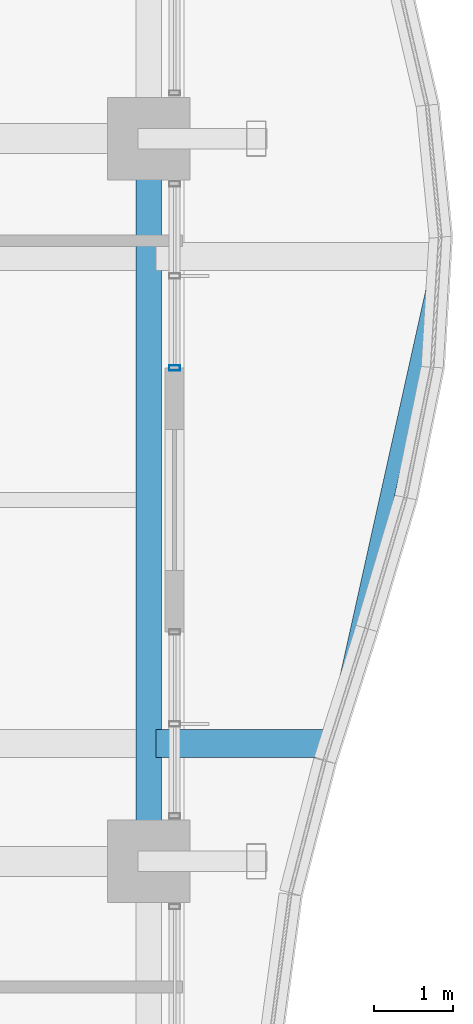
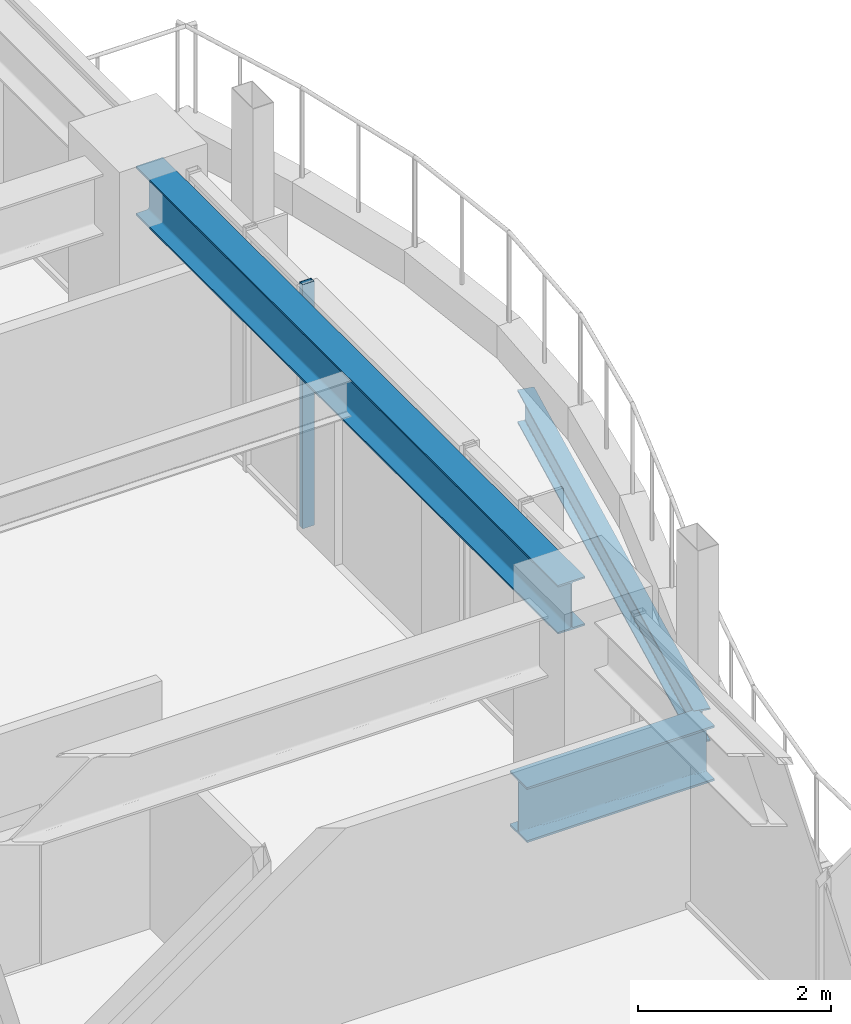
# One storey, part 15 of 37: 3 beams, 1 member, 1 element without a shape of its own.
"""IFC4 building model written with IfcOpenShell, lengths in metres."""

import ifcopenshell
import ifcopenshell.guid

model = None  # the IFC model being written
_history = None  # IfcOwnerHistory: only IFC2X3 demands one
_inside = {}  # id of a spatial element -> (the spatial element, [elements in it])
_under = {}  # id of a project, library or spatial element -> (it, [spatial elements below it])
_declared = {}  # id of a project -> (the project, [libraries it declares])
_typed = {}  # id of a type object -> (the type object, [elements of that type])
_made_of = {}  # id of a material, layer set ... -> (it, [elements and type objects made of it])


def new_model(schema):
    """Start an empty IFC model of exactly this schema.

    Asked for "IFC4X3", IfcOpenShell would pick the latest addendum, in which some entities
    have other attributes; the version numbers below select the first issue.
    IFC2X3 requires an IfcOwnerHistory on every rooted entity: one is made here for all.
    """
    global model, _history
    if schema == "IFC4X3":
        model = ifcopenshell.file(schema_version=(4, 3, 0, 0))
    else:
        model = ifcopenshell.file(schema=schema)
    _inside.clear()
    _under.clear()
    _declared.clear()
    _typed.clear()
    _made_of.clear()
    _history = None
    if model.schema == "IFC2X3":
        org = make("IfcOrganization", Name="unknown")
        user = make(
            "IfcPersonAndOrganization",
            ThePerson=make("IfcPerson", FamilyName="unknown"),
            TheOrganization=org,
        )
        app = make(
            "IfcApplication",
            ApplicationDeveloper=org,
            Version="unknown",
            ApplicationFullName="unknown",
            ApplicationIdentifier="unknown",
        )
        _history = make(
            "IfcOwnerHistory",
            OwningUser=user,
            OwningApplication=app,
            ChangeAction="ADDED",
            CreationDate=0,
        )
    return model


def make(cls, **values):
    """One entity of the class cls with the attributes given. An attribute that is None is left unset."""
    return model.create_entity(
        cls, **{name: value for name, value in values.items() if value is not None}
    )


def rooted(cls, **values):
    """An entity with a GlobalId (a new one), such as an element, a storey or a relation."""
    return make(cls, GlobalId=ifcopenshell.guid.new(), OwnerHistory=_history, **values)


def si_unit(unit_type, name, prefix=None):
    """IfcSIUnit, for example si_unit("LENGTHUNIT", "METRE", prefix="MILLI")."""
    return make("IfcSIUnit", UnitType=unit_type, Prefix=prefix, Name=name)


def assignment(units):
    """IfcUnitAssignment: the units of a project."""
    return None if units is None else make("IfcUnitAssignment", Units=units)


def point(xyz):
    """IfcCartesianPoint."""
    return None if xyz is None else make("IfcCartesianPoint", Coordinates=xyz)


def direction(xyz):
    """IfcDirection."""
    return None if xyz is None else make("IfcDirection", DirectionRatios=xyz)


def frame(location, z_axis=None, x_axis=None):
    """IfcAxis2Placement3D, a coordinate frame: its origin and axes. An axis left out is left unset."""
    return make(
        "IfcAxis2Placement3D",
        Location=point(location),
        Axis=direction(z_axis),
        RefDirection=direction(x_axis),
    )


def frame_2d(location, x_axis=None):
    """IfcAxis2Placement2D, a coordinate frame in the plane: its origin and x axis."""
    return make(
        "IfcAxis2Placement2D", Location=point(location), RefDirection=direction(x_axis)
    )


def origin():
    """The frame at (0, 0, 0) with its axes left unset."""
    return frame((0.0, 0.0, 0.0))


def origin_2d():
    """The frame at (0, 0) in the plane with its x axis left unset."""
    return frame_2d((0.0, 0.0))


def place(relative_to, where):
    """IfcLocalPlacement: puts the frame where relative to a parent placement (None: the world)."""
    return make(
        "IfcLocalPlacement", PlacementRelTo=relative_to, RelativePlacement=where
    )


def context(
    kind, dimensions, precision=None, world=None, true_north=None, identifier=None
):
    """IfcGeometricRepresentationContext, for example the 3D "Model" context."""
    return make(
        "IfcGeometricRepresentationContext",
        ContextIdentifier=identifier,
        ContextType=kind,
        CoordinateSpaceDimension=dimensions,
        Precision=precision,
        WorldCoordinateSystem=world,
        TrueNorth=true_north,
    )


def subcontext(parent, identifier, kind, view, scale=None):
    """IfcGeometricRepresentationSubContext, for example "Body" below "Model"."""
    return make(
        "IfcGeometricRepresentationSubContext",
        ContextIdentifier=identifier,
        ContextType=kind,
        ParentContext=parent,
        TargetScale=scale,
        TargetView=view,
    )


def project(units=None, contexts=None):
    """IfcProject with its units and contexts."""
    return rooted(
        "IfcProject",
        Name="project",
        RepresentationContexts=contexts,
        UnitsInContext=assignment(units),
    )


def spatial(cls, under=None, at=None, **own):
    """A site, building, storey or space (cls), placed at a placement, below another one or the project."""
    s = rooted(cls, ObjectPlacement=at, **own)
    if under is not None:
        _under.setdefault(under.id(), (under, []))[1].append(s)
    return s


def profile(cls, at=None, kind="AREA", **sizes):
    """A parametric profile (cls). Its sizes go by their IFC names, for example OverallWidth=200.0."""
    return make(cls, ProfileType=kind, Position=at, **sizes)


def hollow_rectangle(**sizes):
    """IfcRectangleHollowProfileDef."""
    return profile("IfcRectangleHollowProfileDef", **sizes)


def i_section(**sizes):
    """IfcIShapeProfileDef."""
    return profile("IfcIShapeProfileDef", **sizes)


def extrude(swept, where, along, depth):
    """IfcExtrudedAreaSolid: the profile swept, set in the frame where, extruded along a direction by depth."""
    return make(
        "IfcExtrudedAreaSolid",
        SweptArea=swept,
        Position=where,
        ExtrudedDirection=direction(along),
        Depth=depth,
    )


def shape(context_of_items, identifier, shape_type, items):
    """IfcShapeRepresentation: the items that make up one representation, for example the "Body"."""
    return make(
        "IfcShapeRepresentation",
        ContextOfItems=context_of_items,
        RepresentationIdentifier=identifier,
        RepresentationType=shape_type,
        Items=items,
    )


def material(Name=None, Category=None):
    """IfcMaterial."""
    return make("IfcMaterial", Name=Name, Category=Category)


def material_profile(
    of_material, cross_section, Name=None, Category=None, Priority=None
):
    """IfcMaterialProfile: a cross section and its material."""
    return make(
        "IfcMaterialProfile",
        Name=Name,
        Material=of_material,
        Profile=cross_section,
        Priority=Priority,
        Category=Category,
    )


def profile_set(profiles, Name=None, composite=None):
    """IfcMaterialProfileSet."""
    return make(
        "IfcMaterialProfileSet",
        Name=Name,
        MaterialProfiles=profiles,
        CompositeProfile=composite,
    )


def made_of(thing, what):
    """Note that an element or type object is made of a material, layer set ...; save() writes the relation."""
    if what is not None:
        _made_of.setdefault(what.id(), (what, []))[1].append(thing)
    return thing


def type_object(cls, material=None, **own):
    """A type object (cls), such as IfcWallType, which elements share."""
    return made_of(rooted(cls, **own), material)


def element(
    cls,
    number,
    at=None,
    inside=None,
    cuts=None,
    type_object=None,
    material=None,
    context=None,
    identifier="Body",
    shape_type=None,
    held_by="IfcProductDefinitionShape",
    body=None,
    shapes=None,
    **own,
):
    """One element of the class cls, such as IfcWall. Its Tag is "e" and its number.

    at: its placement. inside: the storey or other place that contains it. cuts: it is an
    opening in that element (IfcRelVoidsElement). A single representation is given by context,
    identifier, shape_type and body (its items); several are given by shapes. held_by: the class
    of the entity that holds the representations. save() writes the other relations.
    """
    e = rooted(cls, Tag="e%d" % number, ObjectPlacement=at, **own)
    if body is not None:
        shapes = [shape(context, identifier, shape_type, body)]
    if shapes is not None:
        e.Representation = make(held_by, Representations=shapes)
    if inside is not None:
        _inside.setdefault(inside.id(), (inside, []))[1].append(e)
    if cuts is not None:
        rooted(
            "IfcRelVoidsElement", RelatingBuildingElement=cuts, RelatedOpeningElement=e
        )
    if type_object is not None:
        _typed.setdefault(type_object.id(), (type_object, []))[1].append(e)
    return made_of(e, material)


def aggregate(whole, parts):
    """IfcRelAggregates: a whole, such as a stair, and the parts it consists of."""
    return rooted("IfcRelAggregates", RelatingObject=whole, RelatedObjects=parts)


def save(model, path):
    """Write the relations noted so far, then the file.

    IfcRelAggregates (storeys below a building ...), IfcRelContainedInSpatialStructure (elements
    in a storey), IfcRelDefinesByType, IfcRelAssociatesMaterial and IfcRelDeclares: one each for
    every whole, place, type object, material and project.
    """
    for whole, parts in _under.values():
        aggregate(whole, parts)
    for where, things in _inside.values():
        rooted(
            "IfcRelContainedInSpatialStructure",
            RelatedElements=things,
            RelatingStructure=where,
        )
    for kind, things in _typed.values():
        rooted("IfcRelDefinesByType", RelatedObjects=things, RelatingType=kind)
    for what, things in _made_of.values():
        rooted("IfcRelAssociatesMaterial", RelatedObjects=things, RelatingMaterial=what)
    for by, libraries in _declared.values():
        rooted("IfcRelDeclares", RelatingContext=by, RelatedDefinitions=libraries)
    model.write(path)


model = new_model("IFC4")

# Units and contexts
model_context = context("Model", 3, precision=1e-05, world=origin(), true_north=direction((0.0, 1.0)))
body_context = subcontext(model_context, "Body", "Model", "MODEL_VIEW")
ifc_project = project(units=[si_unit("LENGTHUNIT", "METRE"), si_unit("AREAUNIT", "SQUARE_METRE"), si_unit("VOLUMEUNIT", "CUBIC_METRE"), si_unit("PLANEANGLEUNIT", "RADIAN"), si_unit("MASSUNIT", "GRAM", prefix="KILO")], contexts=[model_context])

# Site, building, storey
site_placement = place(None, origin())
site = spatial("IfcSite", under=ifc_project, at=site_placement, CompositionType="ELEMENT")
building_placement = place(site_placement, origin())
building = spatial("IfcBuilding", under=site, at=building_placement, Name="Kolvaren Belvedere", CompositionType="ELEMENT")
storey_placement = place(building_placement, frame((0.0, 0.0, 75.5)))
storey = spatial("IfcBuildingStorey", under=building, at=storey_placement, Name="L21", CompositionType="ELEMENT", Elevation=75.5)

# Beams
ifc_material_1 = material(Name="Structural steel ASTM A992 Grade 50", Category="steel")
ifc_material_profile_1 = material_profile(ifc_material_1, i_section(OverallWidth=0.35498046875, OverallDepth=0.696044921875, WebThickness=0.015380859375, FlangeThickness=0.02490234375, FilletRadius=0.02197265625, at=origin_2d()), Name="W27X146")
ifc_profile_set_1 = profile_set([ifc_material_profile_1], Name="Structural steel ASTM A992 Grade 50")
beam_type_1 = type_object("IfcBeamType", Name="BM-CANT-BAL", PredefinedType="BEAM", material=ifc_profile_set_1)
beam_1_placement = place(storey_placement, frame((20.044921875, -3.10009765625, -0.568115234375), z_axis=(1.0, 0.0, 0.0), x_axis=(0.0, 1.0, 0.0)))
element("IfcBeam", 1, at=beam_1_placement, inside=storey, type_object=beam_type_1, Name="L21 Planted Balcony Cantilever BAL-E-1", PredefinedType="BEAM", context=body_context, shape_type="SweptSolid", body=[
    extrude(i_section(OverallWidth=0.35498046875, OverallDepth=0.696044921875, WebThickness=0.015380859375, FlangeThickness=0.02490234375, FilletRadius=0.02197265625, at=origin_2d()), origin(), (0.0, 0.0, 1.0), 2.239990234375),
])
ifc_material_2 = material(Name="Structural steel ASTM A992 Grade 50", Category="steel")
ifc_material_profile_2 = material_profile(ifc_material_2, i_section(OverallWidth=0.180908203125, OverallDepth=0.4169921875, WebThickness=0.010986328125, FlangeThickness=0.018310546875, FilletRadius=0.013916015625, at=origin_2d()), Name="W16X57")
ifc_profile_set_2 = profile_set([ifc_material_profile_2], Name="Structural steel ASTM A992 Grade 50")
beam_type_2 = type_object("IfcBeamType", Name="BM-EDGE-W16X57", PredefinedType="BEAM", material=ifc_profile_set_2)
beam_2_placement = place(storey_placement, frame((22.315185546875, -2.96337890625, -0.428466796875), z_axis=(0.217173129084, 0.976133101582, 0.0), x_axis=(-0.976133101582, 0.217173129084, 0.0)))
element("IfcBeam", 2, at=beam_2_placement, inside=storey, type_object=beam_type_2, Name="L21 Balcony Tip Header Beam BAL-E", PredefinedType="BEAM", context=body_context, shape_type="SweptSolid", body=[
    extrude(i_section(OverallWidth=0.180908203125, OverallDepth=0.4169921875, WebThickness=0.010986328125, FlangeThickness=0.018310546875, FilletRadius=0.013916015625, at=origin_2d()), origin(), (0.0, 0.0, 1.0), 6.07177734375),
])
ifc_material_3 = material(Name="Structural steel ASTM A992 Grade 50", Category="steel")
ifc_material_profile_3 = material_profile(ifc_material_3, i_section(OverallWidth=0.324951171875, OverallDepth=0.615966796875, WebThickness=0.013916015625, FlangeThickness=0.021484375, FilletRadius=0.02001953125, at=origin_2d()), Name="W24X117")
ifc_profile_set_3 = profile_set([ifc_material_profile_3], Name="Structural steel ASTM A992 Grade 50")
beam_type_3 = type_object("IfcBeamType", Name="BM-SPAN-W24X117", PredefinedType="SPANDREL", material=ifc_profile_set_3)
beam_3_placement = place(storey_placement, frame((19.949951171875, -4.36376953125, 2.77197265625), z_axis=(0.0, 1.0, 0.0), x_axis=(-1.0, 0.0, 0.0)))
element("IfcBeam", 3, at=beam_3_placement, inside=storey, type_object=beam_type_3, Name="L21 Perimeter Spandrel E2-E3", PredefinedType="SPANDREL", context=body_context, shape_type="SweptSolid", body=[
    extrude(i_section(OverallWidth=0.324951171875, OverallDepth=0.615966796875, WebThickness=0.013916015625, FlangeThickness=0.021484375, FilletRadius=0.02001953125, at=origin_2d()), origin(), (0.0, 0.0, 1.0), 8.7275390625),
])

# Curtain wall, member
ifc_material_4 = material(Name="Anodised pale-metal aluminium AA 6063-T6", Category="aluminium")
curtain_wall_type = type_object("IfcCurtainWallType", Name="CW-Z2-MID", PredefinedType="NOTDEFINED", material=ifc_material_4)
curtain_wall_placement = place(storey_placement, origin())
curtain_wall = element("IfcCurtainWall", 4, at=curtain_wall_placement, inside=storey, type_object=curtain_wall_type, Name="L21 Unitised Curtain Wall FCW-L21-E1-B2", PredefinedType="NOTDEFINED")
ifc_material_5 = material(Name="Anodised pale-metal aluminium AA 6063-T6", Category="aluminium")
ifc_material_profile_4 = material_profile(ifc_material_5, hollow_rectangle(XDim=0.06494140625, YDim=0.139892578125, WallThickness=0.00390625, at=origin_2d()), Name="ALU-MUL-140X65")
ifc_profile_set_4 = profile_set([ifc_material_profile_4], Name="Anodised pale-metal aluminium AA 6063-T6")
member_type = type_object("IfcMemberType", Name="CW-MUL-140", PredefinedType="MULLION", material=ifc_profile_set_4)
member_placement = place(storey_placement, frame((20.280029296875, 1.679931640625, 0.0), z_axis=(0.0, 0.0, 1.0), x_axis=(0.0, 1.0, 0.0)))
member = element("IfcMember", 5, at=member_placement, type_object=member_type, Name="FCW-L21-E1-B2 Unitised Mullion 3", PredefinedType="MULLION", context=body_context, shape_type="SweptSolid", body=[
    extrude(hollow_rectangle(XDim=0.06494140625, YDim=0.139892578125, WallThickness=0.00390625, at=origin_2d()), origin(), (0.0, 0.0, 1.0), 3.080078125),
])
aggregate(curtain_wall, [member])

save(model, "model.ifc")
